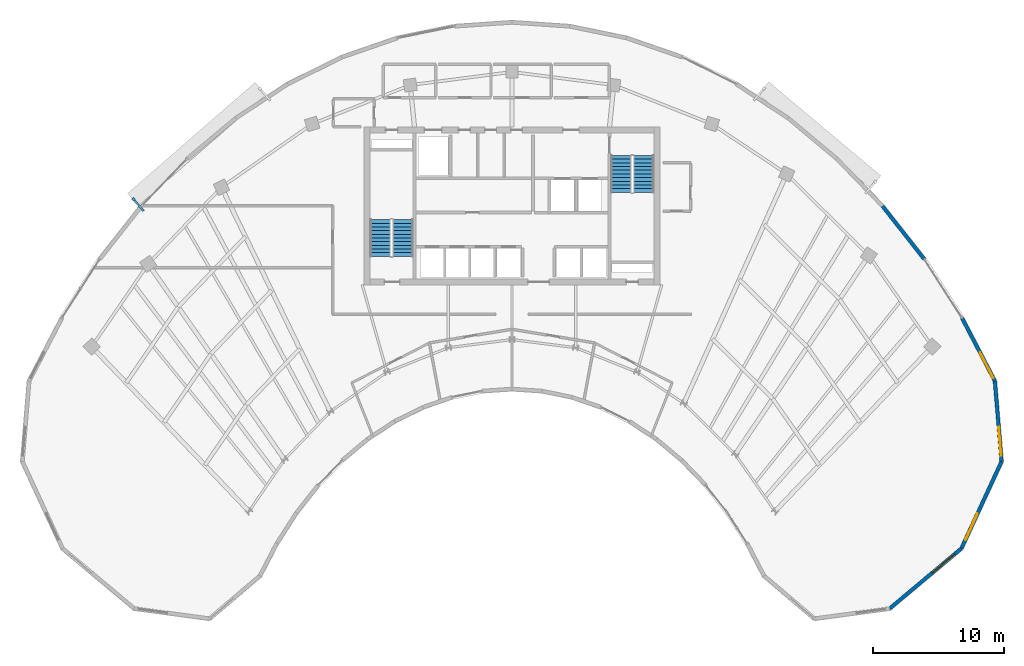
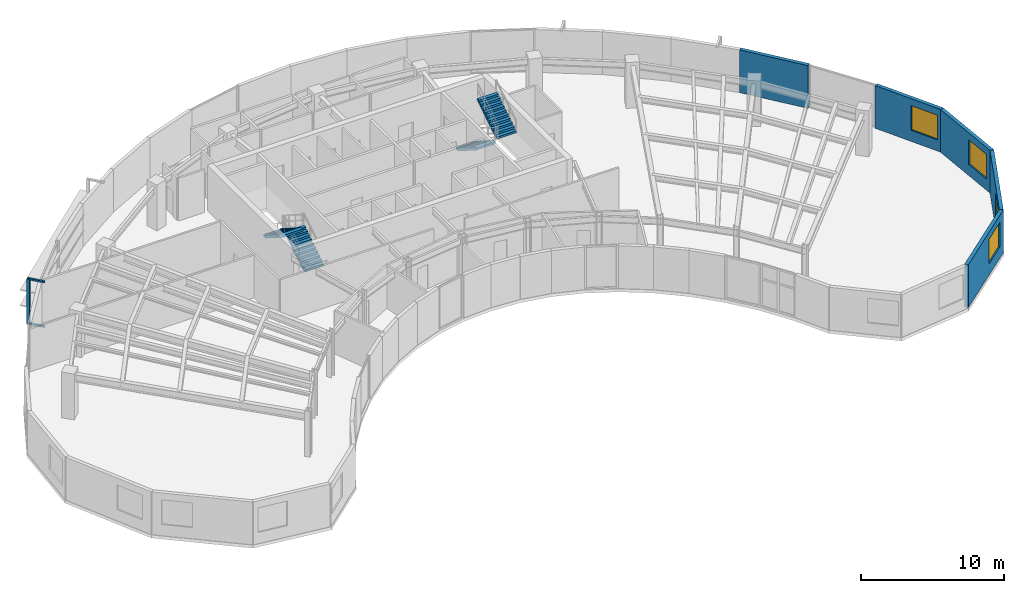
# One storey, part 11 of 14: 5 walls, 4 stair flights, 4 windows, 3 discrete accessories, 4 openings, 2 elements without a shape of their own.
"""IFC4 building model written with IfcOpenShell, lengths in metres."""

from ifc_helpers import new_model, si_unit, direction, frame, frame_2d, origin, origin_2d, place, context, subcontext, project, spatial, polyline, rectangle, outline, extrude, source, transform, mapped, material, layer, layer_set, type_object, type_shapes, element, fill, aggregate, save


model = new_model("IFC4")

# Units and contexts
model_context = context("Model", 3, precision=1e-05, world=origin(), true_north=direction((0.0, 1.0)))
body_context = subcontext(model_context, "Body", "Model", "MODEL_VIEW")
ifc_project = project(units=[si_unit("LENGTHUNIT", "METRE"), si_unit("AREAUNIT", "SQUARE_METRE"), si_unit("VOLUMEUNIT", "CUBIC_METRE"), si_unit("PLANEANGLEUNIT", "RADIAN"), si_unit("MASSUNIT", "GRAM", prefix="KILO")], contexts=[model_context])

# Site, building, storey
site_placement = place(None, origin())
site = spatial("IfcSite", under=ifc_project, at=site_placement, CompositionType="ELEMENT")
building_placement = place(site_placement, origin())
building = spatial("IfcBuilding", under=site, at=building_placement, Name="Breltana Convention Tower", CompositionType="ELEMENT")
storey_placement = place(building_placement, frame((0.0, 0.0, 207.89990234375)))
storey = spatial("IfcBuildingStorey", under=building, at=storey_placement, Name="L50", CompositionType="ELEMENT", Elevation=207.89990234375)

# Wall, opening, window
ifc_material_1 = material(Name="Limestone Buff Insulated Wall", Category="masonry")
ifc_layer = layer(ifc_material_1, 0.280029296875, Name="Limestone Buff Insulated Wall")
ifc_layer_set = layer_set([ifc_layer], Name="Limestone Buff Insulated Wall")
wall_type = type_object("IfcWallType", Name="WL-EXT-NOSE-280", PredefinedType="SOLIDWALL", material=ifc_layer_set)
shared_shape_1 = source(origin(), body_context, "Body", "SweptSolid", [
    extrude(rectangle(XDim=6.145751953125, YDim=0.280029296875, at=frame_2d((3.07275390625, 0.0))), origin(), (0.0, 0.0, 1.0), 3.64013671875),
])
wall_1_placement = place(storey_placement, frame((84.756103515625, 52.87353515625, 0.0), z_axis=(0.0, 0.0, 1.0), x_axis=(0.083301904456, -0.996524356307, 0.0)))
wall_1 = element("IfcWall", 1, at=wall_1_placement, inside=storey, type_object=wall_type, Name="L50 curved limestone nose wall E1", PredefinedType="SOLIDWALL", context=body_context, shape_type="MappedRepresentation", body=[
    mapped(shared_shape_1, transform((0.0, 0.0, 0.0), scale=1.0)),
])
opening_1_placement = place(wall_1_placement, frame((3.50927734375, 0.0, 0.949951171875)))
opening_1 = element("IfcOpeningElement", 2, at=opening_1_placement, cuts=wall_1, Name="Opening W-03", PredefinedType="OPENING", context=body_context, shape_type="SweptSolid", body=[
    extrude(rectangle(XDim=2.199951171875, YDim=2.10009765625, at=frame_2d((1.10009765625, 1.050048828125))), frame((0.0, 0.14990234375, 0.0), z_axis=(0.0, -1.0, 0.0), x_axis=(1.0, 0.0, 0.0)), (0.0, 0.0, 1.0), 0.300048828125),
])
ifc_material_2 = material(Name="Glass Low-E Insulated Window", Category="glass")
window_type = type_object("IfcWindowType", Name="WN-NOSE-2200X2100", PartitioningType="TRIPLE_PANEL_VERTICAL", PredefinedType="WINDOW", material=ifc_material_2)
shared_shape_2 = source(origin(), body_context, "Body", "SweptSolid", [
    extrude(rectangle(XDim=2.199951171875, YDim=2.10009765625, at=frame_2d((1.10009765625, 1.050048828125))), frame((0.0, 0.030029296875, 0.0), z_axis=(0.0, -1.0, 0.0), x_axis=(1.0, 0.0, 0.0)), (0.0, 0.0, 1.0), 0.06005859375),
])
type_shapes(window_type, [shared_shape_2])
window_1_placement = place(opening_1_placement, origin())
window_1 = element("IfcWindow", 3, at=window_1_placement, inside=storey, type_object=window_type, Name="L50 nose window E1", OverallHeight=2.10009765625, OverallWidth=2.199951171875, PartitioningType="TRIPLE_PANEL_VERTICAL", PredefinedType="WINDOW", context=body_context, shape_type="MappedRepresentation", body=[
    mapped(shared_shape_2, transform((0.0, 0.0, 0.0), scale=1.0)),
])
fill(opening_1, window_1)

shared_shape_3 = source(origin(), body_context, "Body", "SweptSolid", [
    extrude(rectangle(XDim=7.29150390625, YDim=0.280029296875, at=frame_2d((3.645751953125, 0.0))), origin(), (0.0, 0.0, 1.0), 3.64013671875),
])
wall_2_placement = place(storey_placement, frame((85.26806640625, 46.7490234375, 0.0), z_axis=(0.0, 0.0, 1.0), x_axis=(-0.419642001049, -0.907689699708, 0.0)))
wall_2 = element("IfcWall", 4, at=wall_2_placement, inside=storey, type_object=wall_type, Name="L50 curved limestone nose wall E2", PredefinedType="SOLIDWALL", context=body_context, shape_type="MappedRepresentation", body=[
    mapped(shared_shape_3, transform((0.0, 0.0, 0.0), scale=1.0)),
])
opening_2_placement = place(wall_2_placement, frame((4.36865234375, 0.0, 0.949951171875)))
opening_2 = element("IfcOpeningElement", 5, at=opening_2_placement, cuts=wall_2, Name="Opening W-03", PredefinedType="OPENING", context=body_context, shape_type="SweptSolid", body=[
    extrude(rectangle(XDim=2.199951171875, YDim=2.10009765625, at=frame_2d((1.10009765625, 1.050048828125))), frame((0.0, 0.14990234375, 0.0), z_axis=(0.0, -1.0, 0.0), x_axis=(1.0, 0.0, 0.0)), (0.0, 0.0, 1.0), 0.300048828125),
])
window_2_placement = place(opening_2_placement, origin())
window_2 = element("IfcWindow", 6, at=window_2_placement, inside=storey, type_object=window_type, Name="L50 nose window E2", OverallHeight=2.10009765625, OverallWidth=2.199951171875, PartitioningType="TRIPLE_PANEL_VERTICAL", PredefinedType="WINDOW", context=body_context, shape_type="MappedRepresentation", body=[
    mapped(shared_shape_2, transform((0.0, 0.0, 0.0), scale=1.0)),
])
fill(opening_2, window_2)

shared_shape_4 = source(origin(), body_context, "Body", "SweptSolid", [
    extrude(rectangle(XDim=7.11962890625, YDim=0.280029296875, at=frame_2d((3.559814453125, 0.0))), origin(), (0.0, 0.0, 1.0), 3.64013671875),
])
wall_3_placement = place(storey_placement, frame((82.208251953125, 40.130615234375, 0.0), z_axis=(0.0, 0.0, 1.0), x_axis=(-0.766709783564, -0.641993853387, 0.0)))
wall_3 = element("IfcWall", 7, at=wall_3_placement, inside=storey, type_object=wall_type, Name="L50 curved limestone nose wall E3", PredefinedType="SOLIDWALL", context=body_context, shape_type="MappedRepresentation", body=[
    mapped(shared_shape_4, transform((0.0, 0.0, 0.0), scale=1.0)),
])
opening_3_placement = place(wall_3_placement, frame((0.679931640625, 0.0, 0.949951171875)))
opening_3 = element("IfcOpeningElement", 8, at=opening_3_placement, cuts=wall_3, Name="Opening W-03", PredefinedType="OPENING", context=body_context, shape_type="SweptSolid", body=[
    extrude(rectangle(XDim=2.199951171875, YDim=2.10009765625, at=frame_2d((1.10009765625, 1.050048828125))), frame((0.0, 0.14990234375, 0.0), z_axis=(0.0, -1.0, 0.0), x_axis=(1.0, 0.0, 0.0)), (0.0, 0.0, 1.0), 0.300048828125),
])
window_3_placement = place(opening_3_placement, origin())
window_3 = element("IfcWindow", 9, at=window_3_placement, inside=storey, type_object=window_type, Name="L50 nose window E3", OverallHeight=2.10009765625, OverallWidth=2.199951171875, PartitioningType="TRIPLE_PANEL_VERTICAL", PredefinedType="WINDOW", context=body_context, shape_type="MappedRepresentation", body=[
    mapped(shared_shape_2, transform((0.0, 0.0, 0.0), scale=1.0)),
])
fill(opening_3, window_3)

shared_shape_5 = source(origin(), body_context, "Body", "SweptSolid", [
    extrude(rectangle(XDim=5.41552734375, YDim=0.280029296875, at=frame_2d((2.707763671875, 0.0))), origin(), (0.0, 0.0, 1.0), 3.64013671875),
])
wall_4_placement = place(storey_placement, frame((82.25537109375, 57.677001953125, 0.0), z_axis=(0.0, 0.0, 1.0), x_axis=(0.46177852435, -0.886995261796, 0.0)))
wall_4 = element("IfcWall", 10, at=wall_4_placement, inside=storey, type_object=wall_type, Name="L50 curved limestone nose wall E33", PredefinedType="SOLIDWALL", context=body_context, shape_type="MappedRepresentation", body=[
    mapped(shared_shape_5, transform((0.0, 0.0, 0.0), scale=1.0)),
])
opening_4_placement = place(wall_4_placement, frame((2.961669921875, 0.0, 0.949951171875)))
opening_4 = element("IfcOpeningElement", 11, at=opening_4_placement, cuts=wall_4, Name="Opening W-03", PredefinedType="OPENING", context=body_context, shape_type="SweptSolid", body=[
    extrude(rectangle(XDim=2.199951171875, YDim=2.10009765625, at=frame_2d((1.10009765625, 1.050048828125))), frame((0.0, 0.14990234375, 0.0), z_axis=(0.0, -1.0, 0.0), x_axis=(1.0, 0.0, 0.0)), (0.0, 0.0, 1.0), 0.300048828125),
])
window_4_placement = place(opening_4_placement, origin())
window_4 = element("IfcWindow", 12, at=window_4_placement, inside=storey, type_object=window_type, Name="L50 nose window E33", OverallHeight=2.10009765625, OverallWidth=2.199951171875, PartitioningType="TRIPLE_PANEL_VERTICAL", PredefinedType="WINDOW", context=body_context, shape_type="MappedRepresentation", body=[
    mapped(shared_shape_2, transform((0.0, 0.0, 0.0), scale=1.0)),
])
fill(opening_4, window_4)

# Wall
shared_shape_6 = source(origin(), body_context, "Body", "SweptSolid", [
    extrude(rectangle(XDim=5.153076171875, YDim=0.280029296875, at=frame_2d((2.57666015625, 0.0))), origin(), (0.0, 0.0, 1.0), 3.64013671875),
])
wall_5_placement = place(storey_placement, frame((76.205322265625, 66.190185546875, 0.0), z_axis=(0.0, 0.0, 1.0), x_axis=(0.618179283891, -0.786037132054, 0.0)))
element("IfcWall", 13, at=wall_5_placement, inside=storey, type_object=wall_type, Name="L50 curved limestone nose wall E32", PredefinedType="SOLIDWALL", context=body_context, shape_type="MappedRepresentation", body=[
    mapped(shared_shape_6, transform((0.0, 0.0, 0.0), scale=1.0)),
])

# Stair, stair flights
ifc_material_3 = material(Name="Concrete C40/50", Category="concrete")
stair_type = type_object("IfcStairType", Name="ST-DOG-1560-R177", PredefinedType="HALF_TURN_STAIR", material=ifc_material_3)
stair_1_placement = place(storey_placement, origin())
stair_1 = element("IfcStair", 14, at=stair_1_placement, inside=storey, type_object=stair_type, Name="L50 Protected Core Exit Stair ST-1", PredefinedType="HALF_TURN_STAIR")
stair_flight_type = type_object("IfcStairFlightType", Name="STF-DOG-1560-N11-R177", PredefinedType="STRAIGHT", material=ifc_material_3)
stair_flight_1_placement = place(storey_placement, frame((39.68994140625, 62.360107421875, 0.0), z_axis=(0.0, 0.0, 1.0), x_axis=(0.0, 1.0, 0.0)))
stair_flight_1 = element("IfcStairFlight", 15, at=stair_flight_1_placement, type_object=stair_flight_type, Name="ST-1 flight 1", NumberOfRisers=11, NumberOfTreads=10, PredefinedType="STRAIGHT", RiserHeight=0.177272727, TreadLength=0.28, context=body_context, shape_type="SweptSolid", body=[
    extrude(outline(polyline([(0.0, 0.0), (0.0, 0.17724609375), (0.280029296875, 0.17724609375), (0.280029296875, 0.3544921875), (0.56005859375, 0.3544921875), (0.56005859375, 0.53173828125), (0.840087890625, 0.53173828125), (0.840087890625, 0.708984375), (1.1201171875, 0.708984375), (1.1201171875, 0.886474609375), (1.39990234375, 0.886474609375), (1.39990234375, 1.063720703125), (1.679931640625, 1.063720703125), (1.679931640625, 1.240966796875), (1.9599609375, 1.240966796875), (1.9599609375, 1.418212890625), (2.239990234375, 1.418212890625), (2.239990234375, 1.595458984375), (2.52001953125, 1.595458984375), (2.52001953125, 1.772705078125), (2.800048828125, 1.772705078125), (2.800048828125, 1.949951171875), (2.800048828125, 1.59521484375), (0.2802734375, 0.0), (0.0, 0.0)])), frame((0.0, 0.780029296875, 0.0), z_axis=(0.0, -1.0, 0.0), x_axis=(1.0, 0.0, 0.0)), (0.0, 0.0, 1.0), 1.56005859375),
])
stair_flight_2_placement = place(storey_placement, frame((37.97998046875, 65.159912109375, 1.9501953125), z_axis=(0.0, 0.0, 1.0), x_axis=(0.0, -1.0, 0.0)))
stair_flight_2 = element("IfcStairFlight", 16, at=stair_flight_2_placement, type_object=stair_flight_type, Name="ST-1 flight 2", NumberOfRisers=11, NumberOfTreads=10, PredefinedType="STRAIGHT", RiserHeight=0.177272727, TreadLength=0.28, context=body_context, shape_type="SweptSolid", body=[
    extrude(outline(polyline([(0.0, 0.0), (0.0, 0.17724609375), (0.280029296875, 0.17724609375), (0.280029296875, 0.3544921875), (0.56005859375, 0.3544921875), (0.56005859375, 0.53173828125), (0.840087890625, 0.53173828125), (0.840087890625, 0.708984375), (1.1201171875, 0.708984375), (1.1201171875, 0.886474609375), (1.39990234375, 0.886474609375), (1.39990234375, 1.063720703125), (1.679931640625, 1.063720703125), (1.679931640625, 1.240966796875), (1.9599609375, 1.240966796875), (1.9599609375, 1.418212890625), (2.239990234375, 1.418212890625), (2.239990234375, 1.595458984375), (2.52001953125, 1.595458984375), (2.52001953125, 1.772705078125), (2.800048828125, 1.772705078125), (2.800048828125, 1.949951171875), (2.800048828125, 1.59521484375), (0.2802734375, 0.0), (0.0, 0.0)])), frame((0.0, 0.780029296875, 0.0), z_axis=(0.0, -1.0, 0.0), x_axis=(1.0, 0.0, 0.0)), (0.0, 0.0, 1.0), 1.56005859375),
])
aggregate(stair_1, [stair_flight_1, stair_flight_2])

stair_2_placement = place(storey_placement, origin())
stair_2 = element("IfcStair", 17, at=stair_2_placement, inside=storey, type_object=stair_type, Name="L50 Protected Core Exit Stair ST-2", PredefinedType="HALF_TURN_STAIR")
stair_flight_3_placement = place(storey_placement, frame((56.31005859375, 70.0400390625, 0.0), z_axis=(0.0, 0.0, 1.0), x_axis=(0.0, -1.0, 0.0)))
stair_flight_3 = element("IfcStairFlight", 18, at=stair_flight_3_placement, type_object=stair_flight_type, Name="ST-2 flight 1", NumberOfRisers=11, NumberOfTreads=10, PredefinedType="STRAIGHT", RiserHeight=0.177272727, TreadLength=0.28, context=body_context, shape_type="SweptSolid", body=[
    extrude(outline(polyline([(0.0, 0.0), (0.0, 0.17724609375), (0.280029296875, 0.17724609375), (0.280029296875, 0.3544921875), (0.56005859375, 0.3544921875), (0.56005859375, 0.53173828125), (0.840087890625, 0.53173828125), (0.840087890625, 0.708984375), (1.1201171875, 0.708984375), (1.1201171875, 0.886474609375), (1.39990234375, 0.886474609375), (1.39990234375, 1.063720703125), (1.679931640625, 1.063720703125), (1.679931640625, 1.240966796875), (1.9599609375, 1.240966796875), (1.9599609375, 1.418212890625), (2.239990234375, 1.418212890625), (2.239990234375, 1.595458984375), (2.52001953125, 1.595458984375), (2.52001953125, 1.772705078125), (2.800048828125, 1.772705078125), (2.800048828125, 1.949951171875), (2.800048828125, 1.59521484375), (0.2802734375, 0.0), (0.0, 0.0)])), frame((0.0, 0.780029296875, 0.0), z_axis=(0.0, -1.0, 0.0), x_axis=(1.0, 0.0, 0.0)), (0.0, 0.0, 1.0), 1.56005859375),
])
stair_flight_4_placement = place(storey_placement, frame((58.02001953125, 67.239990234375, 1.9501953125), z_axis=(0.0, 0.0, 1.0), x_axis=(0.0, 1.0, 0.0)))
stair_flight_4 = element("IfcStairFlight", 19, at=stair_flight_4_placement, type_object=stair_flight_type, Name="ST-2 flight 2", NumberOfRisers=11, NumberOfTreads=10, PredefinedType="STRAIGHT", RiserHeight=0.177272727, TreadLength=0.28, context=body_context, shape_type="SweptSolid", body=[
    extrude(outline(polyline([(0.0, 0.0), (0.0, 0.17724609375), (0.280029296875, 0.17724609375), (0.280029296875, 0.3544921875), (0.56005859375, 0.3544921875), (0.56005859375, 0.53173828125), (0.840087890625, 0.53173828125), (0.840087890625, 0.708984375), (1.1201171875, 0.708984375), (1.1201171875, 0.886474609375), (1.39990234375, 0.886474609375), (1.39990234375, 1.063720703125), (1.679931640625, 1.063720703125), (1.679931640625, 1.240966796875), (1.9599609375, 1.240966796875), (1.9599609375, 1.418212890625), (2.239990234375, 1.418212890625), (2.239990234375, 1.595458984375), (2.52001953125, 1.595458984375), (2.52001953125, 1.772705078125), (2.800048828125, 1.772705078125), (2.800048828125, 1.949951171875), (2.800048828125, 1.59521484375), (0.2802734375, 0.0), (0.0, 0.0)])), frame((0.0, 0.780029296875, 0.0), z_axis=(0.0, -1.0, 0.0), x_axis=(1.0, 0.0, 0.0)), (0.0, 0.0, 1.0), 1.56005859375),
])
aggregate(stair_2, [stair_flight_3, stair_flight_4])

# Discrete accessories
ifc_material_4 = material(Name="Steel S355", Category="steel")
discrete_accessory_type_1 = type_object("IfcDiscreteAccessoryType", Name="ACC-DSF-BRACKET-150", PredefinedType="BRACKET", material=ifc_material_4)
shared_shape_7 = source(origin(), body_context, "Body", "SweptSolid", [
    extrude(rectangle(XDim=1.239990234375, YDim=0.14990234375, at=origin_2d()), origin(), (0.0, 0.0, 1.0), 0.139892578125),
])
type_shapes(discrete_accessory_type_1, [shared_shape_7])
for number, where, z_axis, x_axis, name in (
    (20, (19.545166015625, 66.295166015625, -0.15966796875), (0.0, 0.0, 1.0), (-0.65645174674, 0.754368016423, 0.0), "L50 double-skin slab stand-off bracket 1.1B"),
    (21, (19.545166015625, 66.295166015625, 3.64013671875), (0.0, 0.0, 1.0), (-0.65645174674, 0.754368016423, 0.0), "L50 double-skin slab stand-off bracket 1.1T"),
):
    element("IfcDiscreteAccessory", number, at=place(storey_placement, frame(where, z_axis=z_axis, x_axis=x_axis)), inside=storey, type_object=discrete_accessory_type_1, Name=name, PredefinedType="BRACKET", context=body_context, shape_type="MappedRepresentation", body=[
        mapped(shared_shape_7, transform((0.0, 0.0, 0.0), scale=1.0)),
    ])
discrete_accessory_type_2 = type_object("IfcDiscreteAccessoryType", Name="ACC-DSF-CARRIER-150", PredefinedType="BRACKET", material=ifc_material_4)
shared_shape_8 = source(origin(), body_context, "Body", "SweptSolid", [
    extrude(rectangle(XDim=0.219970703125, YDim=0.219970703125, at=origin_2d()), origin(), (0.0, 0.0, 1.0), 3.860107421875),
])
discrete_accessory_placement = place(storey_placement, frame((19.177490234375, 66.7177734375, -0.1201171875), z_axis=(0.0, 0.0, 1.0), x_axis=(-0.65645174674, 0.754368016423, 0.0)))
element("IfcDiscreteAccessory", 22, at=discrete_accessory_placement, inside=storey, type_object=discrete_accessory_type_2, Name="L50 double-skin outer vertical carrier 1.1", PredefinedType="BRACKET", context=body_context, shape_type="MappedRepresentation", body=[
    mapped(shared_shape_8, transform((0.0, 0.0, 0.0), scale=1.0)),
])

save(model, "model.ifc")
